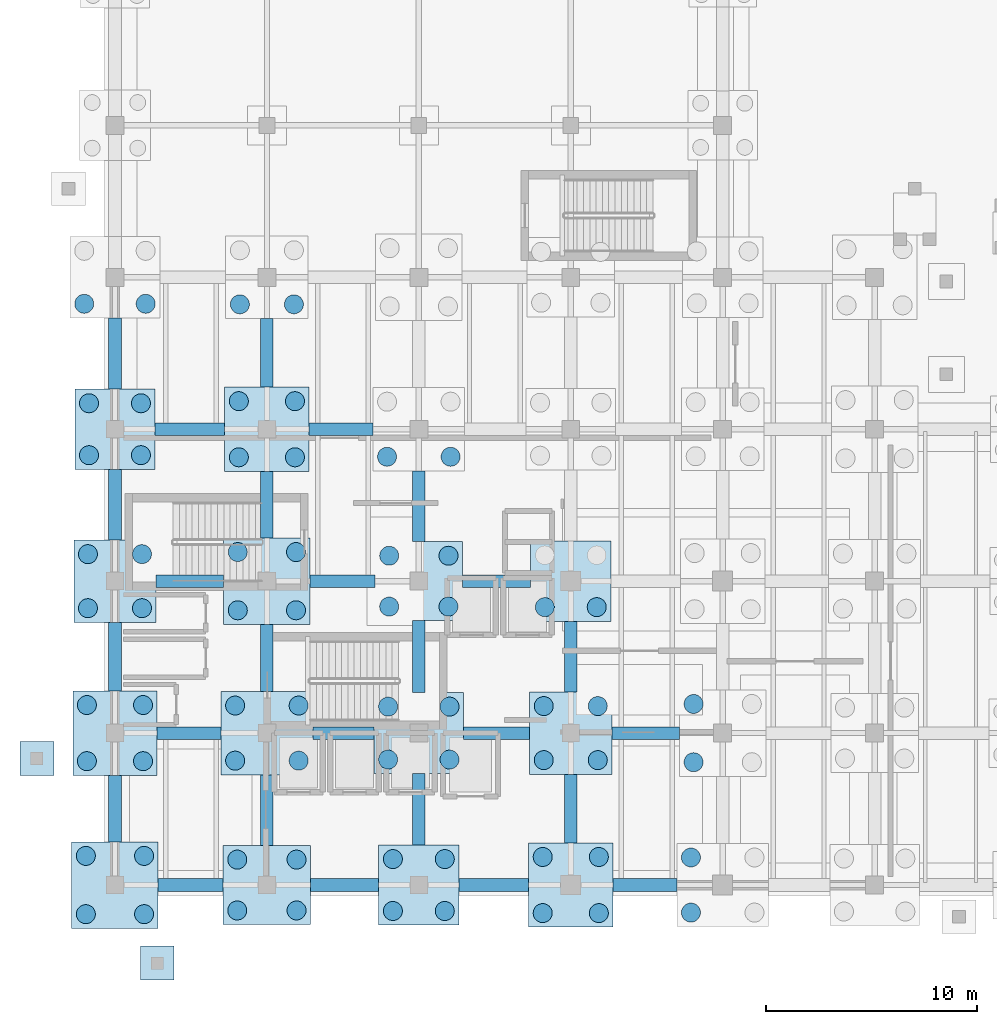
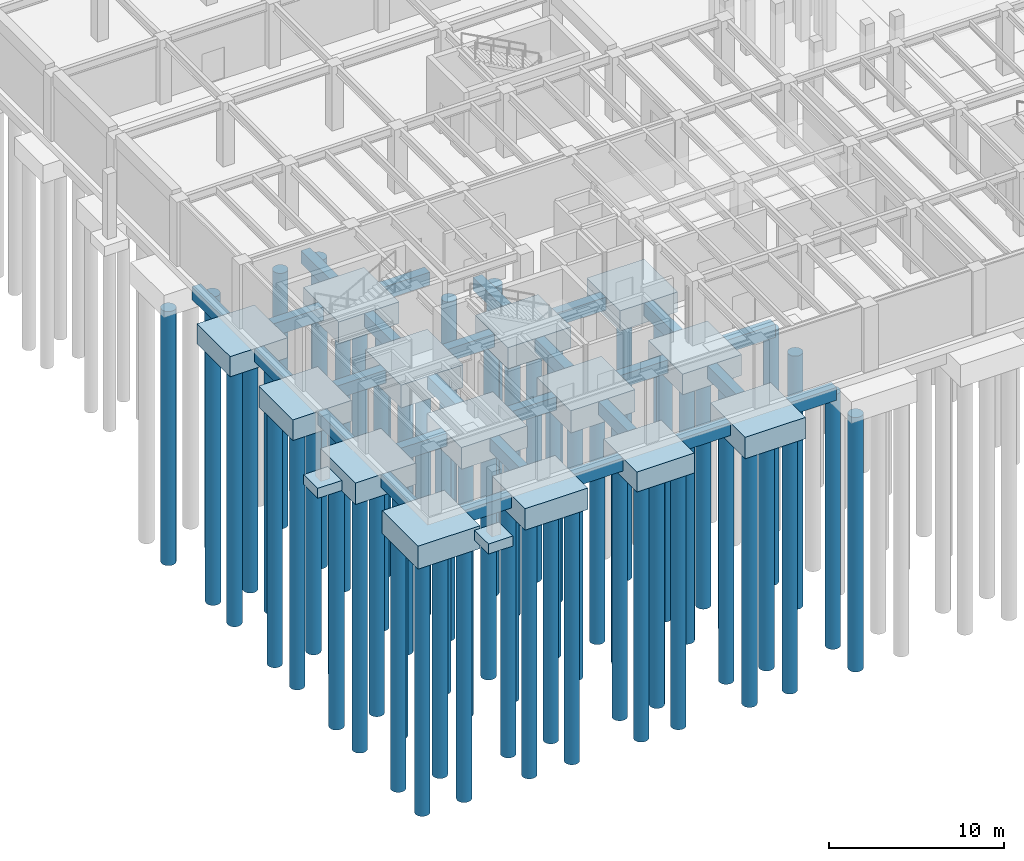
# One storey, part 1 of 26: 64 piles, 42 footings.
"""IFC4 building model written with IfcOpenShell, lengths in metres."""

import ifcopenshell
import ifcopenshell.guid

model = None  # the IFC model being written
_history = None  # IfcOwnerHistory: only IFC2X3 demands one
_inside = {}  # id of a spatial element -> (the spatial element, [elements in it])
_under = {}  # id of a project, library or spatial element -> (it, [spatial elements below it])
_declared = {}  # id of a project -> (the project, [libraries it declares])
_typed = {}  # id of a type object -> (the type object, [elements of that type])
_made_of = {}  # id of a material, layer set ... -> (it, [elements and type objects made of it])


def new_model(schema):
    """Start an empty IFC model of exactly this schema.

    Asked for "IFC4X3", IfcOpenShell would pick the latest addendum, in which some entities
    have other attributes; the version numbers below select the first issue.
    IFC2X3 requires an IfcOwnerHistory on every rooted entity: one is made here for all.
    """
    global model, _history
    if schema == "IFC4X3":
        model = ifcopenshell.file(schema_version=(4, 3, 0, 0))
    else:
        model = ifcopenshell.file(schema=schema)
    _inside.clear()
    _under.clear()
    _declared.clear()
    _typed.clear()
    _made_of.clear()
    _history = None
    if model.schema == "IFC2X3":
        org = make("IfcOrganization", Name="unknown")
        user = make(
            "IfcPersonAndOrganization",
            ThePerson=make("IfcPerson", FamilyName="unknown"),
            TheOrganization=org,
        )
        app = make(
            "IfcApplication",
            ApplicationDeveloper=org,
            Version="unknown",
            ApplicationFullName="unknown",
            ApplicationIdentifier="unknown",
        )
        _history = make(
            "IfcOwnerHistory",
            OwningUser=user,
            OwningApplication=app,
            ChangeAction="ADDED",
            CreationDate=0,
        )
    return model


def make(cls, **values):
    """One entity of the class cls with the attributes given. An attribute that is None is left unset."""
    return model.create_entity(
        cls, **{name: value for name, value in values.items() if value is not None}
    )


def rooted(cls, **values):
    """An entity with a GlobalId (a new one), such as an element, a storey or a relation."""
    return make(cls, GlobalId=ifcopenshell.guid.new(), OwnerHistory=_history, **values)


def si_unit(unit_type, name, prefix=None):
    """IfcSIUnit, for example si_unit("LENGTHUNIT", "METRE", prefix="MILLI")."""
    return make("IfcSIUnit", UnitType=unit_type, Prefix=prefix, Name=name)


def assignment(units):
    """IfcUnitAssignment: the units of a project."""
    return None if units is None else make("IfcUnitAssignment", Units=units)


def point(xyz):
    """IfcCartesianPoint."""
    return None if xyz is None else make("IfcCartesianPoint", Coordinates=xyz)


def direction(xyz):
    """IfcDirection."""
    return None if xyz is None else make("IfcDirection", DirectionRatios=xyz)


def frame(location, z_axis=None, x_axis=None):
    """IfcAxis2Placement3D, a coordinate frame: its origin and axes. An axis left out is left unset."""
    return make(
        "IfcAxis2Placement3D",
        Location=point(location),
        Axis=direction(z_axis),
        RefDirection=direction(x_axis),
    )


def frame_2d(location, x_axis=None):
    """IfcAxis2Placement2D, a coordinate frame in the plane: its origin and x axis."""
    return make(
        "IfcAxis2Placement2D", Location=point(location), RefDirection=direction(x_axis)
    )


def origin():
    """The frame at (0, 0, 0) with its axes left unset."""
    return frame((0.0, 0.0, 0.0))


def origin_2d():
    """The frame at (0, 0) in the plane with its x axis left unset."""
    return frame_2d((0.0, 0.0))


def place(relative_to, where):
    """IfcLocalPlacement: puts the frame where relative to a parent placement (None: the world)."""
    return make(
        "IfcLocalPlacement", PlacementRelTo=relative_to, RelativePlacement=where
    )


def context(
    kind, dimensions, precision=None, world=None, true_north=None, identifier=None
):
    """IfcGeometricRepresentationContext, for example the 3D "Model" context."""
    return make(
        "IfcGeometricRepresentationContext",
        ContextIdentifier=identifier,
        ContextType=kind,
        CoordinateSpaceDimension=dimensions,
        Precision=precision,
        WorldCoordinateSystem=world,
        TrueNorth=true_north,
    )


def subcontext(parent, identifier, kind, view, scale=None):
    """IfcGeometricRepresentationSubContext, for example "Body" below "Model"."""
    return make(
        "IfcGeometricRepresentationSubContext",
        ContextIdentifier=identifier,
        ContextType=kind,
        ParentContext=parent,
        TargetScale=scale,
        TargetView=view,
    )


def project(units=None, contexts=None):
    """IfcProject with its units and contexts."""
    return rooted(
        "IfcProject",
        Name="project",
        RepresentationContexts=contexts,
        UnitsInContext=assignment(units),
    )


def spatial(cls, under=None, at=None, **own):
    """A site, building, storey or space (cls), placed at a placement, below another one or the project."""
    s = rooted(cls, ObjectPlacement=at, **own)
    if under is not None:
        _under.setdefault(under.id(), (under, []))[1].append(s)
    return s


def profile(cls, at=None, kind="AREA", **sizes):
    """A parametric profile (cls). Its sizes go by their IFC names, for example OverallWidth=200.0."""
    return make(cls, ProfileType=kind, Position=at, **sizes)


def rectangle(**sizes):
    """IfcRectangleProfileDef."""
    return profile("IfcRectangleProfileDef", **sizes)


def circle(**sizes):
    """IfcCircleProfileDef."""
    return profile("IfcCircleProfileDef", **sizes)


def extrude(swept, where, along, depth):
    """IfcExtrudedAreaSolid: the profile swept, set in the frame where, extruded along a direction by depth."""
    return make(
        "IfcExtrudedAreaSolid",
        SweptArea=swept,
        Position=where,
        ExtrudedDirection=direction(along),
        Depth=depth,
    )


def shape(context_of_items, identifier, shape_type, items):
    """IfcShapeRepresentation: the items that make up one representation, for example the "Body"."""
    return make(
        "IfcShapeRepresentation",
        ContextOfItems=context_of_items,
        RepresentationIdentifier=identifier,
        RepresentationType=shape_type,
        Items=items,
    )


def material(Name=None, Category=None):
    """IfcMaterial."""
    return make("IfcMaterial", Name=Name, Category=Category)


def material_profile(
    of_material, cross_section, Name=None, Category=None, Priority=None
):
    """IfcMaterialProfile: a cross section and its material."""
    return make(
        "IfcMaterialProfile",
        Name=Name,
        Material=of_material,
        Profile=cross_section,
        Priority=Priority,
        Category=Category,
    )


def profile_set(profiles, Name=None, composite=None):
    """IfcMaterialProfileSet."""
    return make(
        "IfcMaterialProfileSet",
        Name=Name,
        MaterialProfiles=profiles,
        CompositeProfile=composite,
    )


def made_of(thing, what):
    """Note that an element or type object is made of a material, layer set ...; save() writes the relation."""
    if what is not None:
        _made_of.setdefault(what.id(), (what, []))[1].append(thing)
    return thing


def type_object(cls, material=None, **own):
    """A type object (cls), such as IfcWallType, which elements share."""
    return made_of(rooted(cls, **own), material)


def element(
    cls,
    number,
    at=None,
    inside=None,
    cuts=None,
    type_object=None,
    material=None,
    context=None,
    identifier="Body",
    shape_type=None,
    held_by="IfcProductDefinitionShape",
    body=None,
    shapes=None,
    **own,
):
    """One element of the class cls, such as IfcWall. Its Tag is "e" and its number.

    at: its placement. inside: the storey or other place that contains it. cuts: it is an
    opening in that element (IfcRelVoidsElement). A single representation is given by context,
    identifier, shape_type and body (its items); several are given by shapes. held_by: the class
    of the entity that holds the representations. save() writes the other relations.
    """
    e = rooted(cls, Tag="e%d" % number, ObjectPlacement=at, **own)
    if body is not None:
        shapes = [shape(context, identifier, shape_type, body)]
    if shapes is not None:
        e.Representation = make(held_by, Representations=shapes)
    if inside is not None:
        _inside.setdefault(inside.id(), (inside, []))[1].append(e)
    if cuts is not None:
        rooted(
            "IfcRelVoidsElement", RelatingBuildingElement=cuts, RelatedOpeningElement=e
        )
    if type_object is not None:
        _typed.setdefault(type_object.id(), (type_object, []))[1].append(e)
    return made_of(e, material)


def aggregate(whole, parts):
    """IfcRelAggregates: a whole, such as a stair, and the parts it consists of."""
    return rooted("IfcRelAggregates", RelatingObject=whole, RelatedObjects=parts)


def save(model, path):
    """Write the relations noted so far, then the file.

    IfcRelAggregates (storeys below a building ...), IfcRelContainedInSpatialStructure (elements
    in a storey), IfcRelDefinesByType, IfcRelAssociatesMaterial and IfcRelDeclares: one each for
    every whole, place, type object, material and project.
    """
    for whole, parts in _under.values():
        aggregate(whole, parts)
    for where, things in _inside.values():
        rooted(
            "IfcRelContainedInSpatialStructure",
            RelatedElements=things,
            RelatingStructure=where,
        )
    for kind, things in _typed.values():
        rooted("IfcRelDefinesByType", RelatedObjects=things, RelatingType=kind)
    for what, things in _made_of.values():
        rooted("IfcRelAssociatesMaterial", RelatedObjects=things, RelatingMaterial=what)
    for by, libraries in _declared.values():
        rooted("IfcRelDeclares", RelatingContext=by, RelatedDefinitions=libraries)
    model.write(path)


model = new_model("IFC4")

# Units and contexts
model_context = context("Model", 3, precision=1e-05, world=origin(), true_north=direction((0.0, 1.0)))
body_context = subcontext(model_context, "Body", "Model", "MODEL_VIEW")
ifc_project = project(units=[si_unit("LENGTHUNIT", "METRE"), si_unit("AREAUNIT", "SQUARE_METRE"), si_unit("VOLUMEUNIT", "CUBIC_METRE"), si_unit("PLANEANGLEUNIT", "RADIAN"), si_unit("MASSUNIT", "GRAM", prefix="KILO")], contexts=[model_context])

# Site, building, storey
site_placement = place(None, origin())
site = spatial("IfcSite", under=ifc_project, at=site_placement, CompositionType="ELEMENT")
building_placement = place(site_placement, origin())
building = spatial("IfcBuilding", under=site, at=building_placement, Name="Kandorven Conservatory and Botanical Research Centre", CompositionType="ELEMENT")
storey_placement = place(building_placement, frame((0.0, 0.0, -4.800048828125)))
storey = spatial("IfcBuildingStorey", under=building, at=storey_placement, Name="B01", CompositionType="ELEMENT", Elevation=-4.800048828125)

# Footings
ifc_material_1 = material(Name="Concrete C32/40 (M40)", Category="concrete")
ifc_material_profile_1 = material_profile(ifc_material_1, rectangle(XDim=0.60009765625, YDim=0.89990234375, at=origin_2d()))
ifc_profile_set_1 = profile_set([ifc_material_profile_1], Name="Concrete C32/40 (M40)")
footing_type_1 = type_object("IfcFootingType", Name="GroundBeam_GB-01", PredefinedType="FOOTING_BEAM", material=ifc_profile_set_1)
footing_1_placement = place(storey_placement, frame((8.050048828125, 6.0, -0.949951171875), z_axis=(1.0, 0.0, 0.0), x_axis=(0.0, 1.0, 0.0)))
element("IfcFooting", 1, at=footing_1_placement, inside=storey, type_object=footing_type_1, Name="Ground tie beam GB-01 X-001", PredefinedType="FOOTING_BEAM", context=body_context, shape_type="SweptSolid", body=[
    extrude(rectangle(XDim=0.60009765625, YDim=0.89990234375, at=origin_2d()), origin(), (0.0, 0.0, 1.0), 3.074951171875),
])
footing_2_placement = place(storey_placement, frame((6.0, 8.050048828125, -0.949951171875), z_axis=(0.0, 1.0, 0.0), x_axis=(-1.0, 0.0, 0.0)))
element("IfcFooting", 2, at=footing_2_placement, inside=storey, type_object=footing_type_1, Name="Ground tie beam GB-01 Y-002", PredefinedType="FOOTING_BEAM", context=body_context, shape_type="SweptSolid", body=[
    extrude(rectangle(XDim=0.60009765625, YDim=0.89990234375, at=origin_2d()), origin(), (0.0, 0.0, 1.0), 3.14990234375),
])
footing_3_placement = place(storey_placement, frame((8.0, 13.199951171875, -0.949951171875), z_axis=(1.0, 0.0, 0.0), x_axis=(0.0, 1.0, 0.0)))
element("IfcFooting", 3, at=footing_3_placement, inside=storey, type_object=footing_type_1, Name="Ground tie beam GB-01 X-003", PredefinedType="FOOTING_BEAM", context=body_context, shape_type="SweptSolid", body=[
    extrude(rectangle(XDim=0.60009765625, YDim=0.89990234375, at=origin_2d()), origin(), (0.0, 0.0, 1.0), 3.02490234375),
])
footing_4_placement = place(storey_placement, frame((6.0, 15.199951171875, -0.949951171875), z_axis=(0.0, 1.0, 0.0), x_axis=(-1.0, 0.0, 0.0)))
element("IfcFooting", 4, at=footing_4_placement, inside=storey, type_object=footing_type_1, Name="Ground tie beam GB-01 Y-004", PredefinedType="FOOTING_BEAM", context=body_context, shape_type="SweptSolid", body=[
    extrude(rectangle(XDim=0.60009765625, YDim=0.89990234375, at=origin_2d()), origin(), (0.0, 0.0, 1.0), 3.25),
])
footing_5_placement = place(storey_placement, frame((7.949951171875, 20.39990234375, -0.949951171875), z_axis=(1.0, 0.0, 0.0), x_axis=(0.0, 1.0, 0.0)))
element("IfcFooting", 5, at=footing_5_placement, inside=storey, type_object=footing_type_1, Name="Ground tie beam GB-01 X-005", PredefinedType="FOOTING_BEAM", context=body_context, shape_type="SweptSolid", body=[
    extrude(rectangle(XDim=0.60009765625, YDim=0.89990234375, at=origin_2d()), origin(), (0.0, 0.0, 1.0), 3.199951171875),
])
footing_6_placement = place(storey_placement, frame((6.0, 22.35009765625, -0.949951171875), z_axis=(0.0, 1.0, 0.0), x_axis=(-1.0, 0.0, 0.0)))
element("IfcFooting", 6, at=footing_6_placement, inside=storey, type_object=footing_type_1, Name="Ground tie beam GB-01 Y-006", PredefinedType="FOOTING_BEAM", context=body_context, shape_type="SweptSolid", body=[
    extrude(rectangle(XDim=0.60009765625, YDim=0.89990234375, at=origin_2d()), origin(), (0.0, 0.0, 1.0), 3.349853515625),
])
footing_7_placement = place(storey_placement, frame((7.89990234375, 27.60009765625, -0.949951171875), z_axis=(1.0, 0.0, 0.0), x_axis=(0.0, 1.0, 0.0)))
element("IfcFooting", 7, at=footing_7_placement, inside=storey, type_object=footing_type_1, Name="Ground tie beam GB-01 X-007", PredefinedType="FOOTING_BEAM", context=body_context, shape_type="SweptSolid", body=[
    extrude(rectangle(XDim=0.60009765625, YDim=0.89990234375, at=origin_2d()), origin(), (0.0, 0.0, 1.0), 3.300048828125),
])
footing_8_placement = place(storey_placement, frame((6.0, 29.5, -0.949951171875), z_axis=(0.0, 1.0, 0.0), x_axis=(-1.0, 0.0, 0.0)))
element("IfcFooting", 8, at=footing_8_placement, inside=storey, type_object=footing_type_1, Name="Ground tie beam GB-01 Y-008", PredefinedType="FOOTING_BEAM", context=body_context, shape_type="SweptSolid", body=[
    extrude(rectangle(XDim=0.60009765625, YDim=0.89990234375, at=origin_2d()), origin(), (0.0, 0.0, 1.0), 3.375),
])
footing_9_placement = place(storey_placement, frame((15.27490234375, 6.0, -0.949951171875), z_axis=(1.0, 0.0, 0.0), x_axis=(0.0, 1.0, 0.0)))
element("IfcFooting", 9, at=footing_9_placement, inside=storey, type_object=footing_type_1, Name="Ground tie beam GB-01 X-014", PredefinedType="FOOTING_BEAM", context=body_context, shape_type="SweptSolid", body=[
    extrude(rectangle(XDim=0.60009765625, YDim=0.89990234375, at=origin_2d()), origin(), (0.0, 0.0, 1.0), 3.22509765625),
])
footing_10_placement = place(storey_placement, frame((13.199951171875, 7.875, -0.949951171875), z_axis=(0.0, 1.0, 0.0), x_axis=(-1.0, 0.0, 0.0)))
element("IfcFooting", 10, at=footing_10_placement, inside=storey, type_object=footing_type_1, Name="Ground tie beam GB-01 Y-015", PredefinedType="FOOTING_BEAM", context=body_context, shape_type="SweptSolid", body=[
    extrude(rectangle(XDim=0.60009765625, YDim=0.89990234375, at=origin_2d()), origin(), (0.0, 0.0, 1.0), 3.35009765625),
])
footing_11_placement = place(storey_placement, frame((15.375, 13.199951171875, -0.949951171875), z_axis=(1.0, 0.0, 0.0), x_axis=(0.0, 1.0, 0.0)))
element("IfcFooting", 11, at=footing_11_placement, inside=storey, type_object=footing_type_1, Name="Ground tie beam GB-01 X-016", PredefinedType="FOOTING_BEAM", context=body_context, shape_type="SweptSolid", body=[
    extrude(rectangle(XDim=0.60009765625, YDim=0.89990234375, at=origin_2d()), origin(), (0.0, 0.0, 1.0), 2.89990234375),
])
footing_12_placement = place(storey_placement, frame((13.199951171875, 15.175048828125, -0.949951171875), z_axis=(0.0, 1.0, 0.0), x_axis=(-1.0, 0.0, 0.0)))
element("IfcFooting", 12, at=footing_12_placement, inside=storey, type_object=footing_type_1, Name="Ground tie beam GB-01 Y-017", PredefinedType="FOOTING_BEAM", context=body_context, shape_type="SweptSolid", body=[
    extrude(rectangle(XDim=0.60009765625, YDim=0.89990234375, at=origin_2d()), origin(), (0.0, 0.0, 1.0), 3.175048828125),
])
footing_13_placement = place(storey_placement, frame((15.25, 20.39990234375, -0.949951171875), z_axis=(1.0, 0.0, 0.0), x_axis=(0.0, 1.0, 0.0)))
element("IfcFooting", 13, at=footing_13_placement, inside=storey, type_object=footing_type_1, Name="Ground tie beam GB-01 X-018", PredefinedType="FOOTING_BEAM", context=body_context, shape_type="SweptSolid", body=[
    extrude(rectangle(XDim=0.60009765625, YDim=0.89990234375, at=origin_2d()), origin(), (0.0, 0.0, 1.0), 3.074951171875),
])
footing_14_placement = place(storey_placement, frame((13.199951171875, 22.449951171875, -0.949951171875), z_axis=(0.0, 1.0, 0.0), x_axis=(-1.0, 0.0, 0.0)))
element("IfcFooting", 14, at=footing_14_placement, inside=storey, type_object=footing_type_1, Name="Ground tie beam GB-01 Y-019", PredefinedType="FOOTING_BEAM", context=body_context, shape_type="SweptSolid", body=[
    extrude(rectangle(XDim=0.60009765625, YDim=0.89990234375, at=origin_2d()), origin(), (0.0, 0.0, 1.0), 3.150146484375),
])
footing_15_placement = place(storey_placement, frame((15.199951171875, 27.60009765625, -0.949951171875), z_axis=(1.0, 0.0, 0.0), x_axis=(0.0, 1.0, 0.0)))
element("IfcFooting", 15, at=footing_15_placement, inside=storey, type_object=footing_type_1, Name="Ground tie beam GB-01 X-020", PredefinedType="FOOTING_BEAM", context=body_context, shape_type="SweptSolid", body=[
    extrude(rectangle(XDim=0.60009765625, YDim=0.89990234375, at=origin_2d()), origin(), (0.0, 0.0, 1.0), 3.025146484375),
])
footing_16_placement = place(storey_placement, frame((13.199951171875, 29.60009765625, -0.949951171875), z_axis=(0.0, 1.0, 0.0), x_axis=(-1.0, 0.0, 0.0)))
element("IfcFooting", 16, at=footing_16_placement, inside=storey, type_object=footing_type_1, Name="Ground tie beam GB-01 Y-021", PredefinedType="FOOTING_BEAM", context=body_context, shape_type="SweptSolid", body=[
    extrude(rectangle(XDim=0.60009765625, YDim=0.89990234375, at=origin_2d()), origin(), (0.0, 0.0, 1.0), 3.25),
])
footing_17_placement = place(storey_placement, frame((22.300048828125, 6.0, -0.949951171875), z_axis=(1.0, 0.0, 0.0), x_axis=(0.0, 1.0, 0.0)))
element("IfcFooting", 17, at=footing_17_placement, inside=storey, type_object=footing_type_1, Name="Ground tie beam GB-01 X-023", PredefinedType="FOOTING_BEAM", context=body_context, shape_type="SweptSolid", body=[
    extrude(rectangle(XDim=0.60009765625, YDim=0.89990234375, at=origin_2d()), origin(), (0.0, 0.0, 1.0), 3.300048828125),
])
footing_18_placement = place(storey_placement, frame((20.39990234375, 7.89990234375, -0.949951171875), z_axis=(0.0, 1.0, 0.0), x_axis=(-1.0, 0.0, 0.0)))
element("IfcFooting", 18, at=footing_18_placement, inside=storey, type_object=footing_type_1, Name="Ground tie beam GB-01 Y-024", PredefinedType="FOOTING_BEAM", context=body_context, shape_type="SweptSolid", body=[
    extrude(rectangle(XDim=0.60009765625, YDim=0.89990234375, at=origin_2d()), origin(), (0.0, 0.0, 1.0), 3.375),
])
footing_19_placement = place(storey_placement, frame((22.52490234375, 13.199951171875, -0.949951171875), z_axis=(1.0, 0.0, 0.0), x_axis=(0.0, 1.0, 0.0)))
element("IfcFooting", 19, at=footing_19_placement, inside=storey, type_object=footing_type_1, Name="Ground tie beam GB-01 X-025", PredefinedType="FOOTING_BEAM", context=body_context, shape_type="SweptSolid", body=[
    extrude(rectangle(XDim=0.60009765625, YDim=0.89990234375, at=origin_2d()), origin(), (0.0, 0.0, 1.0), 3.125),
])
footing_20_placement = place(storey_placement, frame((20.39990234375, 15.125, -0.949951171875), z_axis=(0.0, 1.0, 0.0), x_axis=(-1.0, 0.0, 0.0)))
element("IfcFooting", 20, at=footing_20_placement, inside=storey, type_object=footing_type_1, Name="Ground tie beam GB-01 Y-026", PredefinedType="FOOTING_BEAM", context=body_context, shape_type="SweptSolid", body=[
    extrude(rectangle(XDim=0.60009765625, YDim=0.89990234375, at=origin_2d()), origin(), (0.0, 0.0, 1.0), 3.39990234375),
])
footing_21_placement = place(storey_placement, frame((22.47509765625, 20.39990234375, -0.949951171875), z_axis=(1.0, 0.0, 0.0), x_axis=(0.0, 1.0, 0.0)))
element("IfcFooting", 21, at=footing_21_placement, inside=storey, type_object=footing_type_1, Name="Ground tie beam GB-01 X-027", PredefinedType="FOOTING_BEAM", context=body_context, shape_type="SweptSolid", body=[
    extrude(rectangle(XDim=0.60009765625, YDim=0.89990234375, at=origin_2d()), origin(), (0.0, 0.0, 1.0), 3.224853515625),
])
footing_22_placement = place(storey_placement, frame((20.39990234375, 22.27490234375, -0.949951171875), z_axis=(0.0, 1.0, 0.0), x_axis=(-1.0, 0.0, 0.0)))
element("IfcFooting", 22, at=footing_22_placement, inside=storey, type_object=footing_type_1, Name="Ground tie beam GB-01 Y-028", PredefinedType="FOOTING_BEAM", context=body_context, shape_type="SweptSolid", body=[
    extrude(rectangle(XDim=0.60009765625, YDim=0.89990234375, at=origin_2d()), origin(), (0.0, 0.0, 1.0), 3.35009765625),
])
footing_23_placement = place(storey_placement, frame((29.60009765625, 6.0, -0.949951171875), z_axis=(1.0, 0.0, 0.0), x_axis=(0.0, 1.0, 0.0)))
element("IfcFooting", 23, at=footing_23_placement, inside=storey, type_object=footing_type_1, Name="Ground tie beam GB-01 X-032", PredefinedType="FOOTING_BEAM", context=body_context, shape_type="SweptSolid", body=[
    extrude(rectangle(XDim=0.60009765625, YDim=0.89990234375, at=origin_2d()), origin(), (0.0, 0.0, 1.0), 3.02490234375),
])
footing_24_placement = place(storey_placement, frame((27.60009765625, 8.0, -0.949951171875), z_axis=(0.0, 1.0, 0.0), x_axis=(-1.0, 0.0, 0.0)))
element("IfcFooting", 24, at=footing_24_placement, inside=storey, type_object=footing_type_1, Name="Ground tie beam GB-01 Y-033", PredefinedType="FOOTING_BEAM", context=body_context, shape_type="SweptSolid", body=[
    extrude(rectangle(XDim=0.60009765625, YDim=0.89990234375, at=origin_2d()), origin(), (0.0, 0.0, 1.0), 3.25),
])
footing_25_placement = place(storey_placement, frame((29.550048828125, 13.199951171875, -0.949951171875), z_axis=(1.0, 0.0, 0.0), x_axis=(0.0, 1.0, 0.0)))
element("IfcFooting", 25, at=footing_25_placement, inside=storey, type_object=footing_type_1, Name="Ground tie beam GB-01 X-034", PredefinedType="FOOTING_BEAM", context=body_context, shape_type="SweptSolid", body=[
    extrude(rectangle(XDim=0.60009765625, YDim=0.89990234375, at=origin_2d()), origin(), (0.0, 0.0, 1.0), 3.199951171875),
])
footing_26_placement = place(storey_placement, frame((27.60009765625, 15.14990234375, -0.949951171875), z_axis=(0.0, 1.0, 0.0), x_axis=(-1.0, 0.0, 0.0)))
element("IfcFooting", 26, at=footing_26_placement, inside=storey, type_object=footing_type_1, Name="Ground tie beam GB-01 Y-035", PredefinedType="FOOTING_BEAM", context=body_context, shape_type="SweptSolid", body=[
    extrude(rectangle(XDim=0.60009765625, YDim=0.89990234375, at=origin_2d()), origin(), (0.0, 0.0, 1.0), 3.35009765625),
])
ifc_material_2 = material(Name="Concrete C32/40 (M40)", Category="concrete")
footing_type_2 = type_object("IfcFootingType", Name="PadFooting_PF-04", PredefinedType="PAD_FOOTING", material=ifc_material_2)
for number, where, z_axis, x_axis, name in (
    (27, (8.0, 2.300048828125, -0.69970703125), (0.0, 0.0, 1.0), (1.0, 0.0, 0.0), "Grade apron pad footing SLAB-EXT-SOUTH-PLAZA-1"),
    (28, (2.300048828125, 12.0, -0.69970703125), (0.0, 0.0, 1.0), (1.0, 0.0, 0.0), "Grade apron pad footing SLAB-EXT-WEST-APRON-1"),
):
    element("IfcFooting", number, at=place(storey_placement, frame(where, z_axis=z_axis, x_axis=x_axis)), inside=storey, type_object=footing_type_2, Name=name, PredefinedType="PAD_FOOTING", context=body_context, shape_type="SweptSolid", body=[
        extrude(rectangle(XDim=1.60009765625, YDim=1.60009765625, at=origin_2d()), origin(), (0.0, 0.0, 1.0), 0.699951171875),
    ])
ifc_material_3 = material(Name="Concrete C32/40 (M40)", Category="concrete")
footing_type_3 = type_object("IfcFootingType", Name="PileCap_PC-01", PredefinedType="PILE_CAP", material=ifc_material_3)
for number, where, z_axis, x_axis, name in (
    (29, (6.0, 6.0, -2.10009765625), (0.0, 0.0, 1.0), (1.0, 0.0, 0.0), "Pile cap PC-01 at T-1-1"),
    (30, (13.199951171875, 20.39990234375, -2.10009765625), (0.0, 0.0, 1.0), (1.0, 0.0, 0.0), "Pile cap PC-01 at T-2-3"),
):
    element("IfcFooting", number, at=place(storey_placement, frame(where, z_axis=z_axis, x_axis=x_axis)), inside=storey, type_object=footing_type_3, Name=name, PredefinedType="PILE_CAP", context=body_context, shape_type="SweptSolid", body=[
        extrude(rectangle(XDim=4.10009765625, YDim=4.10009765625, at=origin_2d()), origin(), (0.0, 0.0, 1.0), 1.60009765625),
    ])
ifc_material_4 = material(Name="Concrete C32/40 (M40)", Category="concrete")
footing_type_4 = type_object("IfcFootingType", Name="PileCap_PC-02", PredefinedType="PILE_CAP", material=ifc_material_4)
for number, where, z_axis, x_axis, name in (
    (31, (6.0, 13.199951171875, -2.0), (0.0, 0.0, 1.0), (1.0, 0.0, 0.0), "Pile cap PC-02 at T-1-2"),
    (32, (13.199951171875, 27.60009765625, -2.0), (0.0, 0.0, 1.0), (1.0, 0.0, 0.0), "Pile cap PC-02 at T-2-4"),
    (33, (27.60009765625, 6.0, -2.0), (0.0, 0.0, 1.0), (1.0, 0.0, 0.0), "Pile cap PC-02 at T-4-1"),
):
    element("IfcFooting", number, at=place(storey_placement, frame(where, z_axis=z_axis, x_axis=x_axis)), inside=storey, type_object=footing_type_4, Name=name, PredefinedType="PILE_CAP", context=body_context, shape_type="SweptSolid", body=[
        extrude(rectangle(XDim=4.0, YDim=4.0, at=origin_2d()), origin(), (0.0, 0.0, 1.0), 1.5),
    ])
ifc_material_5 = material(Name="Concrete C32/40 (M40)", Category="concrete")
footing_type_5 = type_object("IfcFootingType", Name="PileCap_PC-03", PredefinedType="PILE_CAP", material=ifc_material_5)
for number, where, z_axis, x_axis, name in (
    (34, (6.0, 20.39990234375, -1.94970703125), (0.0, 0.0, 1.0), (1.0, 0.0, 0.0), "Pile cap PC-03 at T-1-3"),
    (35, (27.60009765625, 13.199951171875, -1.94970703125), (0.0, 0.0, 1.0), (1.0, 0.0, 0.0), "Pile cap PC-03 at T-4-2"),
):
    element("IfcFooting", number, at=place(storey_placement, frame(where, z_axis=z_axis, x_axis=x_axis)), inside=storey, type_object=footing_type_5, Name=name, PredefinedType="PILE_CAP", context=body_context, shape_type="SweptSolid", body=[
        extrude(rectangle(XDim=3.89990234375, YDim=3.89990234375, at=origin_2d()), origin(), (0.0, 0.0, 1.0), 1.449951171875),
    ])
ifc_material_6 = material(Name="Concrete C32/40 (M40)", Category="concrete")
footing_type_6 = type_object("IfcFootingType", Name="PileCap_PC-04", PredefinedType="PILE_CAP", material=ifc_material_6)
for number, where, z_axis, x_axis, name in (
    (36, (6.0, 27.60009765625, -1.89990234375), (0.0, 0.0, 1.0), (1.0, 0.0, 0.0), "Pile cap PC-04 at T-1-4"),
    (37, (20.39990234375, 6.0, -1.89990234375), (0.0, 0.0, 1.0), (1.0, 0.0, 0.0), "Pile cap PC-04 at T-3-1"),
    (38, (27.60009765625, 20.39990234375, -1.89990234375), (0.0, 0.0, 1.0), (1.0, 0.0, 0.0), "Pile cap PC-04 at T-4-3"),
):
    element("IfcFooting", number, at=place(storey_placement, frame(where, z_axis=z_axis, x_axis=x_axis)), inside=storey, type_object=footing_type_6, Name=name, PredefinedType="PILE_CAP", context=body_context, shape_type="SweptSolid", body=[
        extrude(rectangle(XDim=3.800048828125, YDim=3.800048828125, at=origin_2d()), origin(), (0.0, 0.0, 1.0), 1.39990234375),
    ])
ifc_material_7 = material(Name="Concrete C32/40 (M40)", Category="concrete")
footing_type_7 = type_object("IfcFootingType", Name="PileCap_PC-12", PredefinedType="PILE_CAP", material=ifc_material_7)
footing_27_placement = place(storey_placement, frame((20.39990234375, 13.199951171875, -2.0498046875), z_axis=(0.0, 0.0, 1.0), x_axis=(1.0, 0.0, 0.0)))
element("IfcFooting", 39, at=footing_27_placement, inside=storey, type_object=footing_type_7, Name="Pile cap PC-12 at T-3-2", PredefinedType="PILE_CAP", context=body_context, shape_type="SweptSolid", body=[
    extrude(rectangle(XDim=4.25, YDim=3.85009765625, at=origin_2d()), origin(), (0.0, 0.0, 1.0), 1.550048828125),
])
ifc_material_8 = material(Name="Concrete C32/40 (M40)", Category="concrete")
footing_type_8 = type_object("IfcFootingType", Name="PileCap_PC-13", PredefinedType="PILE_CAP", material=ifc_material_8)
for number, where, z_axis, x_axis, name in (
    (40, (13.199951171875, 6.0, -2.0), (0.0, 0.0, 1.0), (1.0, 0.0, 0.0), "Pile cap PC-13 at T-2-1"),
    (41, (20.39990234375, 20.39990234375, -2.0), (0.0, 0.0, 1.0), (1.0, 0.0, 0.0), "Pile cap PC-13 at T-3-3"),
):
    element("IfcFooting", number, at=place(storey_placement, frame(where, z_axis=z_axis, x_axis=x_axis)), inside=storey, type_object=footing_type_8, Name=name, PredefinedType="PILE_CAP", context=body_context, shape_type="SweptSolid", body=[
        extrude(rectangle(XDim=4.14990234375, YDim=3.75, at=origin_2d()), origin(), (0.0, 0.0, 1.0), 1.5),
    ])
ifc_material_9 = material(Name="Concrete C32/40 (M40)", Category="concrete")
footing_type_9 = type_object("IfcFootingType", Name="PileCap_PC-19", PredefinedType="PILE_CAP", material=ifc_material_9)
footing_28_placement = place(storey_placement, frame((13.199951171875, 13.199951171875, -2.02001953125), z_axis=(0.0, 0.0, 1.0), x_axis=(1.0, 0.0, 0.0)))
element("IfcFooting", 42, at=footing_28_placement, inside=storey, type_object=footing_type_9, Name="Pile cap PC-19 at T-2-2", PredefinedType="PILE_CAP", context=body_context, shape_type="SweptSolid", body=[
    extrude(rectangle(XDim=4.35009765625, YDim=3.949951171875, at=origin_2d()), origin(), (0.0, 0.0, 1.0), 1.52001953125),
])

# Piles
ifc_material_10 = material(Name="Concrete C32/40 (M40)", Category="concrete")
ifc_material_profile_2 = material_profile(ifc_material_10, circle(Radius=0.449951171875, at=origin_2d()))
ifc_profile_set_2 = profile_set([ifc_material_profile_2], Name="Concrete C32/40 (M40)")
pile_type = type_object("IfcPileType", Name="Pile_PILE_D900", PredefinedType="BORED", material=ifc_profile_set_2)
for number, where, z_axis, x_axis, name in (
    (43, (4.6201171875, 4.6201171875, -2.0), (0.0, 0.0, -1.0), (1.0, 0.0, 0.0), "Bored pile T-1-1-1"),
    (44, (4.6201171875, 7.3798828125, -2.0), (0.0, 0.0, -1.0), (1.0, 0.0, 0.0), "Bored pile T-1-1-2"),
    (45, (7.3798828125, 4.6201171875, -2.0), (0.0, 0.0, -1.0), (1.0, 0.0, 0.0), "Bored pile T-1-1-3"),
    (46, (7.3798828125, 7.3798828125, -2.0), (0.0, 0.0, -1.0), (1.0, 0.0, 0.0), "Bored pile T-1-1-4"),
):
    element("IfcPile", number, at=place(storey_placement, frame(where, z_axis=z_axis, x_axis=x_axis)), inside=storey, type_object=pile_type, Name=name, PredefinedType="BORED", context=body_context, shape_type="SweptSolid", body=[
        extrude(circle(Radius=0.449951171875, at=origin_2d()), origin(), (0.0, 0.0, 1.0), 17.699951171875),
    ])
for number, where, z_axis, x_axis, name in (
    (47, (4.669921875, 11.8701171875, -1.89990234375), (0.0, 0.0, -1.0), (1.0, 0.0, 0.0), "Bored pile T-1-2-1"),
    (48, (4.669921875, 14.530029296875, -1.89990234375), (0.0, 0.0, -1.0), (1.0, 0.0, 0.0), "Bored pile T-1-2-2"),
    (49, (7.330078125, 11.8701171875, -1.89990234375), (0.0, 0.0, -1.0), (1.0, 0.0, 0.0), "Bored pile T-1-2-3"),
    (50, (7.330078125, 14.530029296875, -1.89990234375), (0.0, 0.0, -1.0), (1.0, 0.0, 0.0), "Bored pile T-1-2-4"),
):
    element("IfcPile", number, at=place(storey_placement, frame(where, z_axis=z_axis, x_axis=x_axis)), inside=storey, type_object=pile_type, Name=name, PredefinedType="BORED", context=body_context, shape_type="SweptSolid", body=[
        extrude(circle(Radius=0.449951171875, at=origin_2d()), origin(), (0.0, 0.0, 1.0), 17.800048828125),
    ])
for number, where, z_axis, x_axis, name in (
    (51, (4.719970703125, 19.1201171875, -1.849853515625), (0.0, 0.0, -1.0), (1.0, 0.0, 0.0), "Bored pile T-1-3-1"),
    (52, (4.719970703125, 21.679931640625, -1.849853515625), (0.0, 0.0, -1.0), (1.0, 0.0, 0.0), "Bored pile T-1-3-2"),
    (53, (7.280029296875, 19.1201171875, -1.849853515625), (0.0, 0.0, -1.0), (1.0, 0.0, 0.0), "Bored pile T-1-3-3"),
    (54, (7.280029296875, 21.679931640625, -1.849853515625), (0.0, 0.0, -1.0), (1.0, 0.0, 0.0), "Bored pile T-1-3-4"),
):
    element("IfcPile", number, at=place(storey_placement, frame(where, z_axis=z_axis, x_axis=x_axis)), inside=storey, type_object=pile_type, Name=name, PredefinedType="BORED", context=body_context, shape_type="SweptSolid", body=[
        extrude(circle(Radius=0.449951171875, at=origin_2d()), origin(), (0.0, 0.0, 1.0), 17.85009765625),
    ])
for number, where, z_axis, x_axis, name in (
    (55, (4.77001953125, 26.3701171875, -1.800048828125), (0.0, 0.0, -1.0), (1.0, 0.0, 0.0), "Bored pile T-1-4-1"),
    (56, (4.77001953125, 28.830078125, -1.800048828125), (0.0, 0.0, -1.0), (1.0, 0.0, 0.0), "Bored pile T-1-4-2"),
    (57, (7.22998046875, 26.3701171875, -1.800048828125), (0.0, 0.0, -1.0), (1.0, 0.0, 0.0), "Bored pile T-1-4-3"),
    (58, (7.22998046875, 28.830078125, -1.800048828125), (0.0, 0.0, -1.0), (1.0, 0.0, 0.0), "Bored pile T-1-4-4"),
):
    element("IfcPile", number, at=place(storey_placement, frame(where, z_axis=z_axis, x_axis=x_axis)), inside=storey, type_object=pile_type, Name=name, PredefinedType="BORED", context=body_context, shape_type="SweptSolid", body=[
        extrude(circle(Radius=0.449951171875, at=origin_2d()), origin(), (0.0, 0.0, 1.0), 17.89990234375),
    ])
for number, where, z_axis, x_axis, name in (
    (59, (4.544921875, 33.544921875, -1.949951171875), (0.0, 0.0, -1.0), (1.0, 0.0, 0.0), "Bored pile T-1-5-1"),
    (60, (7.455078125, 33.544921875, -1.949951171875), (0.0, 0.0, -1.0), (1.0, 0.0, 0.0), "Bored pile T-1-5-3"),
):
    element("IfcPile", number, at=place(storey_placement, frame(where, z_axis=z_axis, x_axis=x_axis)), inside=storey, type_object=pile_type, Name=name, PredefinedType="BORED", context=body_context, shape_type="SweptSolid", body=[
        extrude(circle(Radius=0.449951171875, at=origin_2d()), origin(), (0.0, 0.0, 1.0), 17.75),
    ])
for number, where, z_axis, x_axis, name in (
    (61, (11.794921875, 4.794921875, -1.89990234375), (0.0, 0.0, -1.0), (1.0, 0.0, 0.0), "Bored pile T-2-1-1"),
    (62, (11.794921875, 7.205078125, -1.89990234375), (0.0, 0.0, -1.0), (1.0, 0.0, 0.0), "Bored pile T-2-1-2"),
    (63, (14.60498046875, 4.794921875, -1.89990234375), (0.0, 0.0, -1.0), (1.0, 0.0, 0.0), "Bored pile T-2-1-3"),
    (64, (14.60498046875, 7.205078125, -1.89990234375), (0.0, 0.0, -1.0), (1.0, 0.0, 0.0), "Bored pile T-2-1-4"),
):
    element("IfcPile", number, at=place(storey_placement, frame(where, z_axis=z_axis, x_axis=x_axis)), inside=storey, type_object=pile_type, Name=name, PredefinedType="BORED", context=body_context, shape_type="SweptSolid", body=[
        extrude(circle(Radius=0.449951171875, at=origin_2d()), origin(), (0.0, 0.0, 1.0), 17.800048828125),
    ])
for number, where, z_axis, x_axis, name in (
    (65, (11.695068359375, 11.89501953125, -1.919921875), (0.0, 0.0, -1.0), (1.0, 0.0, 0.0), "Bored pile T-2-2-1"),
    (66, (11.695068359375, 14.5048828125, -1.919921875), (0.0, 0.0, -1.0), (1.0, 0.0, 0.0), "Bored pile T-2-2-2"),
    (67, (14.705078125, 11.89501953125, -1.919921875), (0.0, 0.0, -1.0), (1.0, 0.0, 0.0), "Bored pile T-2-2-3"),
    (68, (14.705078125, 14.5048828125, -1.919921875), (0.0, 0.0, -1.0), (1.0, 0.0, 0.0), "Bored pile T-2-2-4"),
):
    element("IfcPile", number, at=place(storey_placement, frame(where, z_axis=z_axis, x_axis=x_axis)), inside=storey, type_object=pile_type, Name=name, PredefinedType="BORED", context=body_context, shape_type="SweptSolid", body=[
        extrude(circle(Radius=0.449951171875, at=origin_2d()), origin(), (0.0, 0.0, 1.0), 17.780029296875),
    ])
for number, where, z_axis, x_axis, name in (
    (69, (11.820068359375, 19.02001953125, -2.0), (0.0, 0.0, -1.0), (1.0, 0.0, 0.0), "Bored pile T-2-3-1"),
    (70, (11.820068359375, 21.780029296875, -2.0), (0.0, 0.0, -1.0), (1.0, 0.0, 0.0), "Bored pile T-2-3-2"),
    (71, (14.580078125, 19.02001953125, -2.0), (0.0, 0.0, -1.0), (1.0, 0.0, 0.0), "Bored pile T-2-3-3"),
    (72, (14.580078125, 21.780029296875, -2.0), (0.0, 0.0, -1.0), (1.0, 0.0, 0.0), "Bored pile T-2-3-4"),
):
    element("IfcPile", number, at=place(storey_placement, frame(where, z_axis=z_axis, x_axis=x_axis)), inside=storey, type_object=pile_type, Name=name, PredefinedType="BORED", context=body_context, shape_type="SweptSolid", body=[
        extrude(circle(Radius=0.449951171875, at=origin_2d()), origin(), (0.0, 0.0, 1.0), 17.699951171875),
    ])
for number, where, z_axis, x_axis, name in (
    (73, (11.8701171875, 26.27001953125, -1.89990234375), (0.0, 0.0, -1.0), (1.0, 0.0, 0.0), "Bored pile T-2-4-1"),
    (74, (11.8701171875, 28.929931640625, -1.89990234375), (0.0, 0.0, -1.0), (1.0, 0.0, 0.0), "Bored pile T-2-4-2"),
    (75, (14.530029296875, 26.27001953125, -1.89990234375), (0.0, 0.0, -1.0), (1.0, 0.0, 0.0), "Bored pile T-2-4-3"),
    (76, (14.530029296875, 28.929931640625, -1.89990234375), (0.0, 0.0, -1.0), (1.0, 0.0, 0.0), "Bored pile T-2-4-4"),
):
    element("IfcPile", number, at=place(storey_placement, frame(where, z_axis=z_axis, x_axis=x_axis)), inside=storey, type_object=pile_type, Name=name, PredefinedType="BORED", context=body_context, shape_type="SweptSolid", body=[
        extrude(circle(Radius=0.449951171875, at=origin_2d()), origin(), (0.0, 0.0, 1.0), 17.800048828125),
    ])
for number, where, z_axis, x_axis, name in (
    (77, (11.919921875, 33.52001953125, -1.849853515625), (0.0, 0.0, -1.0), (1.0, 0.0, 0.0), "Bored pile T-2-5-1"),
    (78, (14.47998046875, 33.52001953125, -1.849853515625), (0.0, 0.0, -1.0), (1.0, 0.0, 0.0), "Bored pile T-2-5-3"),
):
    element("IfcPile", number, at=place(storey_placement, frame(where, z_axis=z_axis, x_axis=x_axis)), inside=storey, type_object=pile_type, Name=name, PredefinedType="BORED", context=body_context, shape_type="SweptSolid", body=[
        extrude(circle(Radius=0.449951171875, at=origin_2d()), origin(), (0.0, 0.0, 1.0), 17.85009765625),
    ])
for number, where, z_axis, x_axis, name in (
    (79, (19.169921875, 4.77001953125, -1.800048828125), (0.0, 0.0, -1.0), (1.0, 0.0, 0.0), "Bored pile T-3-1-1"),
    (80, (19.169921875, 7.22998046875, -1.800048828125), (0.0, 0.0, -1.0), (1.0, 0.0, 0.0), "Bored pile T-3-1-2"),
    (81, (21.6298828125, 4.77001953125, -1.800048828125), (0.0, 0.0, -1.0), (1.0, 0.0, 0.0), "Bored pile T-3-1-3"),
    (82, (21.6298828125, 7.22998046875, -1.800048828125), (0.0, 0.0, -1.0), (1.0, 0.0, 0.0), "Bored pile T-3-1-4"),
):
    element("IfcPile", number, at=place(storey_placement, frame(where, z_axis=z_axis, x_axis=x_axis)), inside=storey, type_object=pile_type, Name=name, PredefinedType="BORED", context=body_context, shape_type="SweptSolid", body=[
        extrude(circle(Radius=0.449951171875, at=origin_2d()), origin(), (0.0, 0.0, 1.0), 17.89990234375),
    ])
for number, where, z_axis, x_axis, name in (
    (83, (18.945068359375, 11.945068359375, -1.949951171875), (0.0, 0.0, -1.0), (1.0, 0.0, 0.0), "Bored pile T-3-2-1"),
    (84, (18.945068359375, 14.455078125, -1.949951171875), (0.0, 0.0, -1.0), (1.0, 0.0, 0.0), "Bored pile T-3-2-2"),
    (85, (21.85498046875, 11.945068359375, -1.949951171875), (0.0, 0.0, -1.0), (1.0, 0.0, 0.0), "Bored pile T-3-2-3"),
    (86, (21.85498046875, 14.455078125, -1.949951171875), (0.0, 0.0, -1.0), (1.0, 0.0, 0.0), "Bored pile T-3-2-4"),
):
    element("IfcPile", number, at=place(storey_placement, frame(where, z_axis=z_axis, x_axis=x_axis)), inside=storey, type_object=pile_type, Name=name, PredefinedType="BORED", context=body_context, shape_type="SweptSolid", body=[
        extrude(circle(Radius=0.449951171875, at=origin_2d()), origin(), (0.0, 0.0, 1.0), 17.75),
    ])
for number, where, z_axis, x_axis, name in (
    (87, (18.9951171875, 19.195068359375, -1.89990234375), (0.0, 0.0, -1.0), (1.0, 0.0, 0.0), "Bored pile T-3-3-1"),
    (88, (18.9951171875, 21.60498046875, -1.89990234375), (0.0, 0.0, -1.0), (1.0, 0.0, 0.0), "Bored pile T-3-3-2"),
    (89, (21.804931640625, 19.195068359375, -1.89990234375), (0.0, 0.0, -1.0), (1.0, 0.0, 0.0), "Bored pile T-3-3-3"),
    (90, (21.804931640625, 21.60498046875, -1.89990234375), (0.0, 0.0, -1.0), (1.0, 0.0, 0.0), "Bored pile T-3-3-4"),
):
    element("IfcPile", number, at=place(storey_placement, frame(where, z_axis=z_axis, x_axis=x_axis)), inside=storey, type_object=pile_type, Name=name, PredefinedType="BORED", context=body_context, shape_type="SweptSolid", body=[
        extrude(circle(Radius=0.449951171875, at=origin_2d()), origin(), (0.0, 0.0, 1.0), 17.800048828125),
    ])
for number, where, z_axis, x_axis, name in (
    (91, (18.89501953125, 26.294921875, -1.919921875), (0.0, 0.0, -1.0), (1.0, 0.0, 0.0), "Bored pile T-3-4-1"),
    (92, (21.905029296875, 26.294921875, -1.919921875), (0.0, 0.0, -1.0), (1.0, 0.0, 0.0), "Bored pile T-3-4-3"),
):
    element("IfcPile", number, at=place(storey_placement, frame(where, z_axis=z_axis, x_axis=x_axis)), inside=storey, type_object=pile_type, Name=name, PredefinedType="BORED", context=body_context, shape_type="SweptSolid", body=[
        extrude(circle(Radius=0.449951171875, at=origin_2d()), origin(), (0.0, 0.0, 1.0), 17.780029296875),
    ])
for number, where, z_axis, x_axis, name in (
    (93, (26.27001953125, 4.669921875, -1.89990234375), (0.0, 0.0, -1.0), (1.0, 0.0, 0.0), "Bored pile T-4-1-1"),
    (94, (26.27001953125, 7.330078125, -1.89990234375), (0.0, 0.0, -1.0), (1.0, 0.0, 0.0), "Bored pile T-4-1-2"),
    (95, (28.929931640625, 4.669921875, -1.89990234375), (0.0, 0.0, -1.0), (1.0, 0.0, 0.0), "Bored pile T-4-1-3"),
    (96, (28.929931640625, 7.330078125, -1.89990234375), (0.0, 0.0, -1.0), (1.0, 0.0, 0.0), "Bored pile T-4-1-4"),
):
    element("IfcPile", number, at=place(storey_placement, frame(where, z_axis=z_axis, x_axis=x_axis)), inside=storey, type_object=pile_type, Name=name, PredefinedType="BORED", context=body_context, shape_type="SweptSolid", body=[
        extrude(circle(Radius=0.449951171875, at=origin_2d()), origin(), (0.0, 0.0, 1.0), 17.800048828125),
    ])
for number, where, z_axis, x_axis, name in (
    (97, (26.320068359375, 11.919921875, -1.849853515625), (0.0, 0.0, -1.0), (1.0, 0.0, 0.0), "Bored pile T-4-2-1"),
    (98, (26.320068359375, 14.47998046875, -1.849853515625), (0.0, 0.0, -1.0), (1.0, 0.0, 0.0), "Bored pile T-4-2-2"),
    (99, (28.8798828125, 11.919921875, -1.849853515625), (0.0, 0.0, -1.0), (1.0, 0.0, 0.0), "Bored pile T-4-2-3"),
    (100, (28.8798828125, 14.47998046875, -1.849853515625), (0.0, 0.0, -1.0), (1.0, 0.0, 0.0), "Bored pile T-4-2-4"),
):
    element("IfcPile", number, at=place(storey_placement, frame(where, z_axis=z_axis, x_axis=x_axis)), inside=storey, type_object=pile_type, Name=name, PredefinedType="BORED", context=body_context, shape_type="SweptSolid", body=[
        extrude(circle(Radius=0.449951171875, at=origin_2d()), origin(), (0.0, 0.0, 1.0), 17.85009765625),
    ])
for number, where, z_axis, x_axis, name in (
    (101, (26.3701171875, 19.169921875, -1.800048828125), (0.0, 0.0, -1.0), (1.0, 0.0, 0.0), "Bored pile T-4-3-1"),
    (102, (28.830078125, 19.169921875, -1.800048828125), (0.0, 0.0, -1.0), (1.0, 0.0, 0.0), "Bored pile T-4-3-3"),
):
    element("IfcPile", number, at=place(storey_placement, frame(where, z_axis=z_axis, x_axis=x_axis)), inside=storey, type_object=pile_type, Name=name, PredefinedType="BORED", context=body_context, shape_type="SweptSolid", body=[
        extrude(circle(Radius=0.449951171875, at=origin_2d()), origin(), (0.0, 0.0, 1.0), 17.89990234375),
    ])
for number, where, z_axis, x_axis, name in (
    (103, (33.294921875, 4.695068359375, -1.919921875), (0.0, 0.0, -1.0), (1.0, 0.0, 0.0), "Bored pile T-5-1-1"),
    (104, (33.294921875, 7.304931640625, -1.919921875), (0.0, 0.0, -1.0), (1.0, 0.0, 0.0), "Bored pile T-5-1-2"),
):
    element("IfcPile", number, at=place(storey_placement, frame(where, z_axis=z_axis, x_axis=x_axis)), inside=storey, type_object=pile_type, Name=name, PredefinedType="BORED", context=body_context, shape_type="SweptSolid", body=[
        extrude(circle(Radius=0.449951171875, at=origin_2d()), origin(), (0.0, 0.0, 1.0), 17.780029296875),
    ])
for number, where, z_axis, x_axis, name in (
    (105, (33.419921875, 11.820068359375, -2.0), (0.0, 0.0, -1.0), (1.0, 0.0, 0.0), "Bored pile T-5-2-1"),
    (106, (33.419921875, 14.580078125, -2.0), (0.0, 0.0, -1.0), (1.0, 0.0, 0.0), "Bored pile T-5-2-2"),
):
    element("IfcPile", number, at=place(storey_placement, frame(where, z_axis=z_axis, x_axis=x_axis)), inside=storey, type_object=pile_type, Name=name, PredefinedType="BORED", context=body_context, shape_type="SweptSolid", body=[
        extrude(circle(Radius=0.449951171875, at=origin_2d()), origin(), (0.0, 0.0, 1.0), 17.699951171875),
    ])

save(model, "model.ifc")
